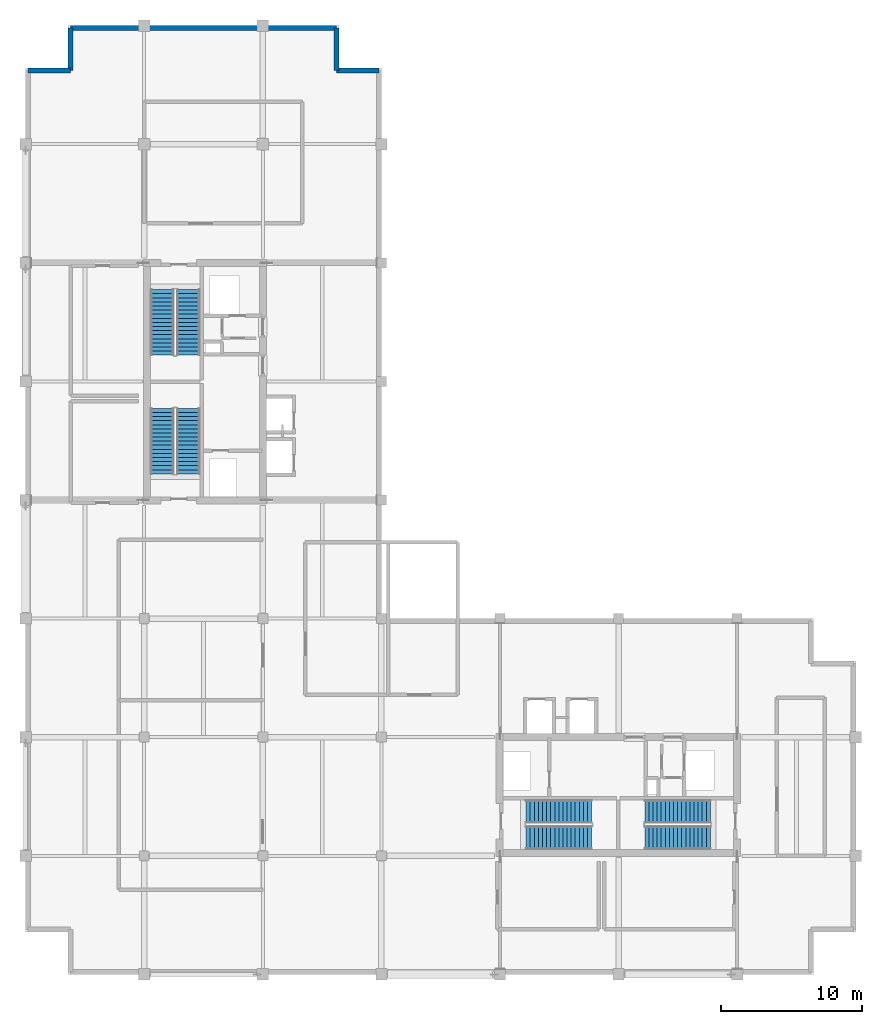
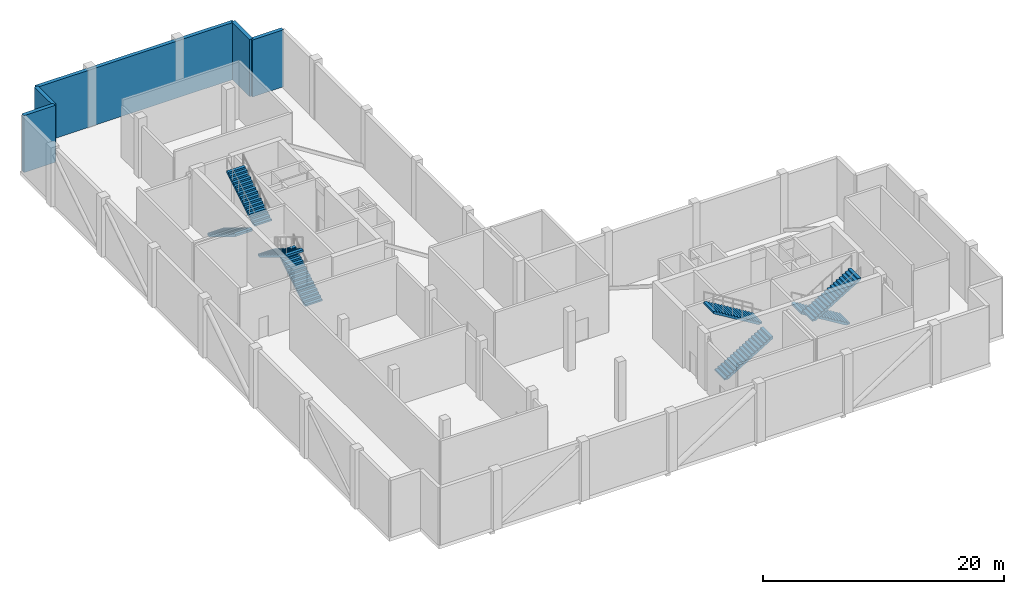
# One storey, part 12 of 14: 8 stair flights, 5 walls, 4 elements without a shape of their own.
"""IFC4 building model written with IfcOpenShell, lengths in metres."""

from ifc_helpers import new_model, si_unit, direction, frame, frame_2d, origin, place, context, subcontext, project, spatial, polyline, rectangle, outline, extrude, material, layer, layer_set, type_object, element, aggregate, save


model = new_model("IFC4")

# Units and contexts
model_context = context("Model", 3, precision=1e-05, world=origin(), true_north=direction((0.0, 1.0)))
body_context = subcontext(model_context, "Body", "Model", "MODEL_VIEW")
ifc_project = project(units=[si_unit("LENGTHUNIT", "METRE"), si_unit("AREAUNIT", "SQUARE_METRE"), si_unit("VOLUMEUNIT", "CUBIC_METRE"), si_unit("PLANEANGLEUNIT", "RADIAN"), si_unit("MASSUNIT", "GRAM", prefix="KILO")], contexts=[model_context])

# Site, building, storey
site_placement = place(None, origin())
site = spatial("IfcSite", under=ifc_project, at=site_placement, CompositionType="ELEMENT")
building_placement = place(site_placement, origin())
building = spatial("IfcBuilding", under=site, at=building_placement, Name="Koriwani Terraces Tower", CompositionType="ELEMENT")
storey_placement = place(building_placement, frame((0.0, 0.0, 294.800048828125)))
storey = spatial("IfcBuildingStorey", under=building, at=storey_placement, Name="L73", CompositionType="ELEMENT", Elevation=294.800048828125)

# Walls
ifc_material_1 = material(Name="Concrete C50/60", Category="concrete")
ifc_layer = layer(ifc_material_1, 0.35009765625, Name="Concrete C50/60")
ifc_layer_set = layer_set([ifc_layer], Name="Concrete C50/60")
wall_type = type_object("IfcWallType", Name="WALL_EXT_BRUTALIST_350", PredefinedType="STANDARD", material=ifc_layer_set)
for number, where, z_axis, x_axis, name in (
    (1, (8.574951171875, 72.425048828125, 0.0), (0.0, 0.0, 1.0), (1.0, 0.0, 0.0), "L73 Fair-Faced Brutalist Exterior Wall (N3)"),
    (2, (11.574951171875, 72.425048828125, 0.0), (0.0, 0.0, 1.0), (0.0, 1.0, 0.0), "L73 Fair-Faced Brutalist Exterior Wall (N4)"),
):
    element("IfcWall", number, at=place(storey_placement, frame(where, z_axis=z_axis, x_axis=x_axis)), inside=storey, type_object=wall_type, Name=name, PredefinedType="STANDARD", context=body_context, shape_type="SweptSolid", body=[
        extrude(rectangle(XDim=3.0, YDim=0.35009765625, at=frame_2d((1.5, 0.0))), origin(), (0.0, 0.0, 1.0), 5.77001953125),
    ])
wall_placement = place(storey_placement, frame((11.574951171875, 75.425048828125, 0.0), z_axis=(0.0, 0.0, 1.0), x_axis=(1.0, 0.0, 0.0)))
element("IfcWall", 3, at=wall_placement, inside=storey, type_object=wall_type, Name="L73 Fair-Faced Brutalist Exterior Wall (N_TIP)", PredefinedType="STANDARD", context=body_context, shape_type="SweptSolid", body=[
    extrude(rectangle(XDim=18.85009765625, YDim=0.35009765625, at=frame_2d((9.425048828125, 0.0))), origin(), (0.0, 0.0, 1.0), 5.77001953125),
])
for number, where, z_axis, x_axis, name in (
    (4, (30.425048828125, 75.425048828125, 0.0), (0.0, 0.0, 1.0), (0.0, -1.0, 0.0), "L73 Fair-Faced Brutalist Exterior Wall (N6)"),
    (5, (30.425048828125, 72.425048828125, 0.0), (0.0, 0.0, 1.0), (1.0, 0.0, 0.0), "L73 Fair-Faced Brutalist Exterior Wall (N7)"),
):
    element("IfcWall", number, at=place(storey_placement, frame(where, z_axis=z_axis, x_axis=x_axis)), inside=storey, type_object=wall_type, Name=name, PredefinedType="STANDARD", context=body_context, shape_type="SweptSolid", body=[
        extrude(rectangle(XDim=3.0, YDim=0.35009765625, at=frame_2d((1.5, 0.0))), origin(), (0.0, 0.0, 1.0), 5.77001953125),
    ])

# Stair, stair flights
ifc_material_2 = material(Name="Concrete C40/50", Category="concrete")
stair_type = type_object("IfcStairType", Name="STAIR_CORE_DOGLEG_1650", PredefinedType="TWO_STRAIGHT_RUN_STAIR", material=ifc_material_2)
stair_1_placement = place(storey_placement, origin())
stair_1 = element("IfcStair", 6, at=stair_1_placement, inside=storey, type_object=stair_type, Name="L73 West Core Exit Stair 1", PredefinedType="HALF_TURN_STAIR")
stair_flight_type = type_object("IfcStairFlightType", Name="STAIR_FLIGHT_RC_1650", PredefinedType="STRAIGHT", material=ifc_material_2)
stair_flight_1_placement = place(storey_placement, frame((19.925048828125, 43.85009765625, 0.0), z_axis=(0.0, 0.0, 1.0), x_axis=(0.0, 1.0, 0.0)))
stair_flight_1 = element("IfcStairFlight", 7, at=stair_flight_1_placement, type_object=stair_flight_type, Name="ST-W1 flight 1", NumberOfRisers=17, NumberOfTreads=16, PredefinedType="STRAIGHT", RiserHeight=0.176470588, TreadLength=0.29, context=body_context, shape_type="SweptSolid", body=[
    extrude(outline(polyline([(0.0, 0.0), (0.0, 0.176513671875), (0.2900390625, 0.176513671875), (0.2900390625, 0.35302734375), (0.580078125, 0.35302734375), (0.580078125, 0.529296875), (0.8701171875, 0.529296875), (0.8701171875, 0.705810546875), (1.159912109375, 0.705810546875), (1.159912109375, 0.88232421875), (1.449951171875, 0.88232421875), (1.449951171875, 1.058837890625), (1.739990234375, 1.058837890625), (1.739990234375, 1.2353515625), (2.030029296875, 1.2353515625), (2.030029296875, 1.411865234375), (2.320068359375, 1.411865234375), (2.320068359375, 1.588134765625), (2.610107421875, 1.588134765625), (2.610107421875, 1.7646484375), (2.89990234375, 1.7646484375), (2.89990234375, 1.941162109375), (3.18994140625, 1.941162109375), (3.18994140625, 2.11767578125), (3.47998046875, 2.11767578125), (3.47998046875, 2.294189453125), (3.77001953125, 2.294189453125), (3.77001953125, 2.470703125), (4.06005859375, 2.470703125), (4.06005859375, 2.64697265625), (4.35009765625, 2.64697265625), (4.35009765625, 2.823486328125), (4.639892578125, 2.823486328125), (4.639892578125, 3.0), (4.639892578125, 2.61279296875), (0.34619140625, 0.0), (0.0, 0.0)])), frame((0.0, 0.824951171875, 0.0), z_axis=(0.0, -1.0, 0.0), x_axis=(1.0, 0.0, 0.0)), (0.0, 0.0, 1.0), 1.64990234375),
])
stair_flight_2_placement = place(storey_placement, frame((18.074951171875, 48.489990234375, 3.0), z_axis=(0.0, 0.0, 1.0), x_axis=(0.0, -1.0, 0.0)))
stair_flight_2 = element("IfcStairFlight", 8, at=stair_flight_2_placement, type_object=stair_flight_type, Name="ST-W1 flight 2", NumberOfRisers=17, NumberOfTreads=16, PredefinedType="STRAIGHT", RiserHeight=0.176470588, TreadLength=0.29, context=body_context, shape_type="SweptSolid", body=[
    extrude(outline(polyline([(0.0, 0.0), (0.0, 0.176513671875), (0.2900390625, 0.176513671875), (0.2900390625, 0.35302734375), (0.580078125, 0.35302734375), (0.580078125, 0.529296875), (0.8701171875, 0.529296875), (0.8701171875, 0.705810546875), (1.159912109375, 0.705810546875), (1.159912109375, 0.88232421875), (1.449951171875, 0.88232421875), (1.449951171875, 1.058837890625), (1.739990234375, 1.058837890625), (1.739990234375, 1.2353515625), (2.030029296875, 1.2353515625), (2.030029296875, 1.411865234375), (2.320068359375, 1.411865234375), (2.320068359375, 1.588134765625), (2.610107421875, 1.588134765625), (2.610107421875, 1.7646484375), (2.89990234375, 1.7646484375), (2.89990234375, 1.941162109375), (3.18994140625, 1.941162109375), (3.18994140625, 2.11767578125), (3.47998046875, 2.11767578125), (3.47998046875, 2.294189453125), (3.77001953125, 2.294189453125), (3.77001953125, 2.470703125), (4.06005859375, 2.470703125), (4.06005859375, 2.64697265625), (4.35009765625, 2.64697265625), (4.35009765625, 2.823486328125), (4.639892578125, 2.823486328125), (4.639892578125, 3.0), (4.639892578125, 2.61279296875), (0.34619140625, 0.0), (0.0, 0.0)])), frame((0.0, 0.824951171875, 0.0), z_axis=(0.0, -1.0, 0.0), x_axis=(1.0, 0.0, 0.0)), (0.0, 0.0, 1.0), 1.64990234375),
])
aggregate(stair_1, [stair_flight_1, stair_flight_2])

stair_2_placement = place(storey_placement, origin())
stair_2 = element("IfcStair", 9, at=stair_2_placement, inside=storey, type_object=stair_type, Name="L73 West Core Exit Stair 2", PredefinedType="HALF_TURN_STAIR")
stair_flight_3_placement = place(storey_placement, frame((18.074951171875, 56.89990234375, 0.0), z_axis=(0.0, 0.0, 1.0), x_axis=(0.0, -1.0, 0.0)))
stair_flight_3 = element("IfcStairFlight", 10, at=stair_flight_3_placement, type_object=stair_flight_type, Name="ST-W2 flight 1", NumberOfRisers=17, NumberOfTreads=16, PredefinedType="STRAIGHT", RiserHeight=0.176470588, TreadLength=0.29, context=body_context, shape_type="SweptSolid", body=[
    extrude(outline(polyline([(0.0, 0.0), (0.0, 0.176513671875), (0.2900390625, 0.176513671875), (0.2900390625, 0.35302734375), (0.580078125, 0.35302734375), (0.580078125, 0.529296875), (0.8701171875, 0.529296875), (0.8701171875, 0.705810546875), (1.159912109375, 0.705810546875), (1.159912109375, 0.88232421875), (1.449951171875, 0.88232421875), (1.449951171875, 1.058837890625), (1.739990234375, 1.058837890625), (1.739990234375, 1.2353515625), (2.030029296875, 1.2353515625), (2.030029296875, 1.411865234375), (2.320068359375, 1.411865234375), (2.320068359375, 1.588134765625), (2.610107421875, 1.588134765625), (2.610107421875, 1.7646484375), (2.89990234375, 1.7646484375), (2.89990234375, 1.941162109375), (3.18994140625, 1.941162109375), (3.18994140625, 2.11767578125), (3.47998046875, 2.11767578125), (3.47998046875, 2.294189453125), (3.77001953125, 2.294189453125), (3.77001953125, 2.470703125), (4.06005859375, 2.470703125), (4.06005859375, 2.64697265625), (4.35009765625, 2.64697265625), (4.35009765625, 2.823486328125), (4.639892578125, 2.823486328125), (4.639892578125, 3.0), (4.639892578125, 2.61279296875), (0.34619140625, 0.0), (0.0, 0.0)])), frame((0.0, 0.824951171875, 0.0), z_axis=(0.0, -1.0, 0.0), x_axis=(1.0, 0.0, 0.0)), (0.0, 0.0, 1.0), 1.64990234375),
])
stair_flight_4_placement = place(storey_placement, frame((19.925048828125, 52.260009765625, 3.0), z_axis=(0.0, 0.0, 1.0), x_axis=(0.0, 1.0, 0.0)))
stair_flight_4 = element("IfcStairFlight", 11, at=stair_flight_4_placement, type_object=stair_flight_type, Name="ST-W2 flight 2", NumberOfRisers=17, NumberOfTreads=16, PredefinedType="STRAIGHT", RiserHeight=0.176470588, TreadLength=0.29, context=body_context, shape_type="SweptSolid", body=[
    extrude(outline(polyline([(0.0, 0.0), (0.0, 0.176513671875), (0.2900390625, 0.176513671875), (0.2900390625, 0.35302734375), (0.580078125, 0.35302734375), (0.580078125, 0.529296875), (0.8701171875, 0.529296875), (0.8701171875, 0.705810546875), (1.159912109375, 0.705810546875), (1.159912109375, 0.88232421875), (1.449951171875, 0.88232421875), (1.449951171875, 1.058837890625), (1.739990234375, 1.058837890625), (1.739990234375, 1.2353515625), (2.030029296875, 1.2353515625), (2.030029296875, 1.411865234375), (2.320068359375, 1.411865234375), (2.320068359375, 1.588134765625), (2.610107421875, 1.588134765625), (2.610107421875, 1.7646484375), (2.89990234375, 1.7646484375), (2.89990234375, 1.941162109375), (3.18994140625, 1.941162109375), (3.18994140625, 2.11767578125), (3.47998046875, 2.11767578125), (3.47998046875, 2.294189453125), (3.77001953125, 2.294189453125), (3.77001953125, 2.470703125), (4.06005859375, 2.470703125), (4.06005859375, 2.64697265625), (4.35009765625, 2.64697265625), (4.35009765625, 2.823486328125), (4.639892578125, 2.823486328125), (4.639892578125, 3.0), (4.639892578125, 2.61279296875), (0.34619140625, 0.0), (0.0, 0.0)])), frame((0.0, 0.824951171875, 0.0), z_axis=(0.0, -1.0, 0.0), x_axis=(1.0, 0.0, 0.0)), (0.0, 0.0, 1.0), 1.64990234375),
])
aggregate(stair_2, [stair_flight_3, stair_flight_4])

stair_3_placement = place(storey_placement, origin())
stair_3 = element("IfcStair", 12, at=stair_3_placement, inside=storey, type_object=stair_type, Name="L73 East Core Exit Stair 1", PredefinedType="HALF_TURN_STAIR")
stair_flight_5_placement = place(storey_placement, frame((43.85009765625, 18.074951171875, 0.0), z_axis=(0.0, 0.0, 1.0), x_axis=(1.0, 0.0, 0.0)))
stair_flight_5 = element("IfcStairFlight", 13, at=stair_flight_5_placement, type_object=stair_flight_type, Name="ST-E1 flight 1", NumberOfRisers=17, NumberOfTreads=16, PredefinedType="STRAIGHT", RiserHeight=0.176470588, TreadLength=0.29, context=body_context, shape_type="SweptSolid", body=[
    extrude(outline(polyline([(0.0, 0.0), (0.0, 0.176513671875), (0.2900390625, 0.176513671875), (0.2900390625, 0.35302734375), (0.580078125, 0.35302734375), (0.580078125, 0.529296875), (0.8701171875, 0.529296875), (0.8701171875, 0.705810546875), (1.159912109375, 0.705810546875), (1.159912109375, 0.88232421875), (1.449951171875, 0.88232421875), (1.449951171875, 1.058837890625), (1.739990234375, 1.058837890625), (1.739990234375, 1.2353515625), (2.030029296875, 1.2353515625), (2.030029296875, 1.411865234375), (2.320068359375, 1.411865234375), (2.320068359375, 1.588134765625), (2.610107421875, 1.588134765625), (2.610107421875, 1.7646484375), (2.89990234375, 1.7646484375), (2.89990234375, 1.941162109375), (3.18994140625, 1.941162109375), (3.18994140625, 2.11767578125), (3.47998046875, 2.11767578125), (3.47998046875, 2.294189453125), (3.77001953125, 2.294189453125), (3.77001953125, 2.470703125), (4.06005859375, 2.470703125), (4.06005859375, 2.64697265625), (4.35009765625, 2.64697265625), (4.35009765625, 2.823486328125), (4.639892578125, 2.823486328125), (4.639892578125, 3.0), (4.639892578125, 2.61279296875), (0.34619140625, 0.0), (0.0, 0.0)])), frame((0.0, 0.824951171875, 0.0), z_axis=(0.0, -1.0, 0.0), x_axis=(1.0, 0.0, 0.0)), (0.0, 0.0, 1.0), 1.64990234375),
])
stair_flight_6_placement = place(storey_placement, frame((48.489990234375, 19.925048828125, 3.0), z_axis=(0.0, 0.0, 1.0), x_axis=(-1.0, 0.0, 0.0)))
stair_flight_6 = element("IfcStairFlight", 14, at=stair_flight_6_placement, type_object=stair_flight_type, Name="ST-E1 flight 2", NumberOfRisers=17, NumberOfTreads=16, PredefinedType="STRAIGHT", RiserHeight=0.176470588, TreadLength=0.29, context=body_context, shape_type="SweptSolid", body=[
    extrude(outline(polyline([(0.0, 0.0), (0.0, 0.176513671875), (0.2900390625, 0.176513671875), (0.2900390625, 0.35302734375), (0.580078125, 0.35302734375), (0.580078125, 0.529296875), (0.8701171875, 0.529296875), (0.8701171875, 0.705810546875), (1.159912109375, 0.705810546875), (1.159912109375, 0.88232421875), (1.449951171875, 0.88232421875), (1.449951171875, 1.058837890625), (1.739990234375, 1.058837890625), (1.739990234375, 1.2353515625), (2.030029296875, 1.2353515625), (2.030029296875, 1.411865234375), (2.320068359375, 1.411865234375), (2.320068359375, 1.588134765625), (2.610107421875, 1.588134765625), (2.610107421875, 1.7646484375), (2.89990234375, 1.7646484375), (2.89990234375, 1.941162109375), (3.18994140625, 1.941162109375), (3.18994140625, 2.11767578125), (3.47998046875, 2.11767578125), (3.47998046875, 2.294189453125), (3.77001953125, 2.294189453125), (3.77001953125, 2.470703125), (4.06005859375, 2.470703125), (4.06005859375, 2.64697265625), (4.35009765625, 2.64697265625), (4.35009765625, 2.823486328125), (4.639892578125, 2.823486328125), (4.639892578125, 3.0), (4.639892578125, 2.61279296875), (0.34619140625, 0.0), (0.0, 0.0)])), frame((0.0, 0.824951171875, 0.0), z_axis=(0.0, -1.0, 0.0), x_axis=(1.0, 0.0, 0.0)), (0.0, 0.0, 1.0), 1.64990234375),
])
aggregate(stair_3, [stair_flight_5, stair_flight_6])

stair_4_placement = place(storey_placement, origin())
stair_4 = element("IfcStair", 15, at=stair_4_placement, inside=storey, type_object=stair_type, Name="L73 East Core Exit Stair 2", PredefinedType="HALF_TURN_STAIR")
stair_flight_7_placement = place(storey_placement, frame((56.89990234375, 19.925048828125, 0.0), z_axis=(0.0, 0.0, 1.0), x_axis=(-1.0, 0.0, 0.0)))
stair_flight_7 = element("IfcStairFlight", 16, at=stair_flight_7_placement, type_object=stair_flight_type, Name="ST-E2 flight 1", NumberOfRisers=17, NumberOfTreads=16, PredefinedType="STRAIGHT", RiserHeight=0.176470588, TreadLength=0.29, context=body_context, shape_type="SweptSolid", body=[
    extrude(outline(polyline([(0.0, 0.0), (0.0, 0.176513671875), (0.2900390625, 0.176513671875), (0.2900390625, 0.35302734375), (0.580078125, 0.35302734375), (0.580078125, 0.529296875), (0.8701171875, 0.529296875), (0.8701171875, 0.705810546875), (1.159912109375, 0.705810546875), (1.159912109375, 0.88232421875), (1.449951171875, 0.88232421875), (1.449951171875, 1.058837890625), (1.739990234375, 1.058837890625), (1.739990234375, 1.2353515625), (2.030029296875, 1.2353515625), (2.030029296875, 1.411865234375), (2.320068359375, 1.411865234375), (2.320068359375, 1.588134765625), (2.610107421875, 1.588134765625), (2.610107421875, 1.7646484375), (2.89990234375, 1.7646484375), (2.89990234375, 1.941162109375), (3.18994140625, 1.941162109375), (3.18994140625, 2.11767578125), (3.47998046875, 2.11767578125), (3.47998046875, 2.294189453125), (3.77001953125, 2.294189453125), (3.77001953125, 2.470703125), (4.06005859375, 2.470703125), (4.06005859375, 2.64697265625), (4.35009765625, 2.64697265625), (4.35009765625, 2.823486328125), (4.639892578125, 2.823486328125), (4.639892578125, 3.0), (4.639892578125, 2.61279296875), (0.34619140625, 0.0), (0.0, 0.0)])), frame((0.0, 0.824951171875, 0.0), z_axis=(0.0, -1.0, 0.0), x_axis=(1.0, 0.0, 0.0)), (0.0, 0.0, 1.0), 1.64990234375),
])
stair_flight_8_placement = place(storey_placement, frame((52.260009765625, 18.074951171875, 3.0), z_axis=(0.0, 0.0, 1.0), x_axis=(1.0, 0.0, 0.0)))
stair_flight_8 = element("IfcStairFlight", 17, at=stair_flight_8_placement, type_object=stair_flight_type, Name="ST-E2 flight 2", NumberOfRisers=17, NumberOfTreads=16, PredefinedType="STRAIGHT", RiserHeight=0.176470588, TreadLength=0.29, context=body_context, shape_type="SweptSolid", body=[
    extrude(outline(polyline([(0.0, 0.0), (0.0, 0.176513671875), (0.2900390625, 0.176513671875), (0.2900390625, 0.35302734375), (0.580078125, 0.35302734375), (0.580078125, 0.529296875), (0.8701171875, 0.529296875), (0.8701171875, 0.705810546875), (1.159912109375, 0.705810546875), (1.159912109375, 0.88232421875), (1.449951171875, 0.88232421875), (1.449951171875, 1.058837890625), (1.739990234375, 1.058837890625), (1.739990234375, 1.2353515625), (2.030029296875, 1.2353515625), (2.030029296875, 1.411865234375), (2.320068359375, 1.411865234375), (2.320068359375, 1.588134765625), (2.610107421875, 1.588134765625), (2.610107421875, 1.7646484375), (2.89990234375, 1.7646484375), (2.89990234375, 1.941162109375), (3.18994140625, 1.941162109375), (3.18994140625, 2.11767578125), (3.47998046875, 2.11767578125), (3.47998046875, 2.294189453125), (3.77001953125, 2.294189453125), (3.77001953125, 2.470703125), (4.06005859375, 2.470703125), (4.06005859375, 2.64697265625), (4.35009765625, 2.64697265625), (4.35009765625, 2.823486328125), (4.639892578125, 2.823486328125), (4.639892578125, 3.0), (4.639892578125, 2.61279296875), (0.34619140625, 0.0), (0.0, 0.0)])), frame((0.0, 0.824951171875, 0.0), z_axis=(0.0, -1.0, 0.0), x_axis=(1.0, 0.0, 0.0)), (0.0, 0.0, 1.0), 1.64990234375),
])
aggregate(stair_4, [stair_flight_7, stair_flight_8])

save(model, "model.ifc")
